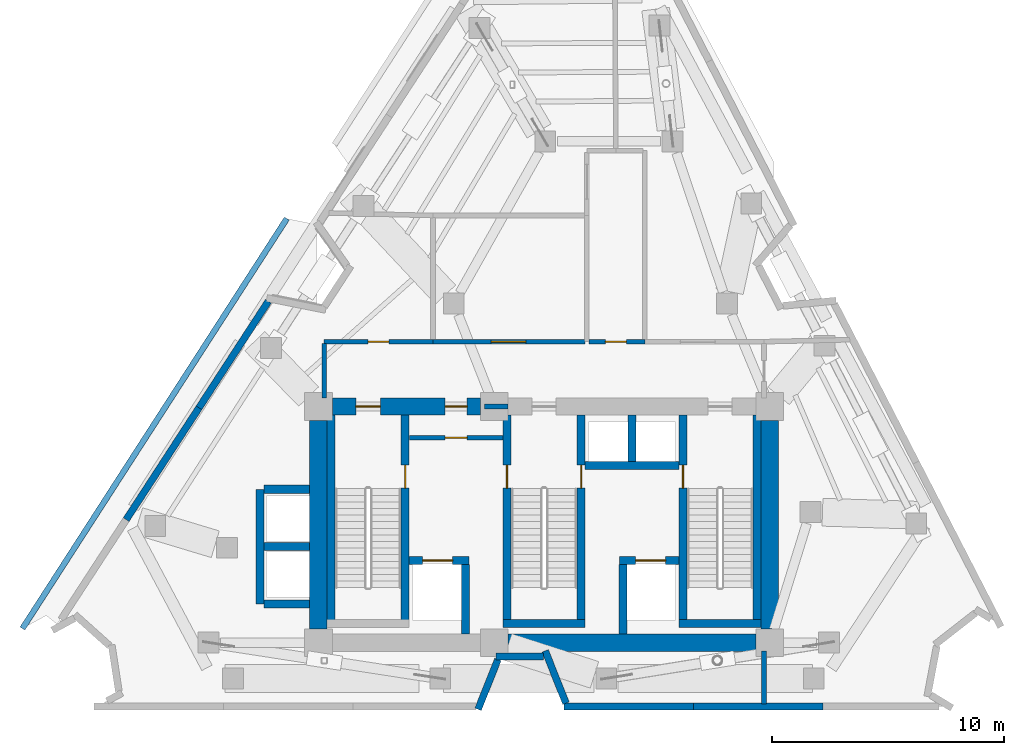
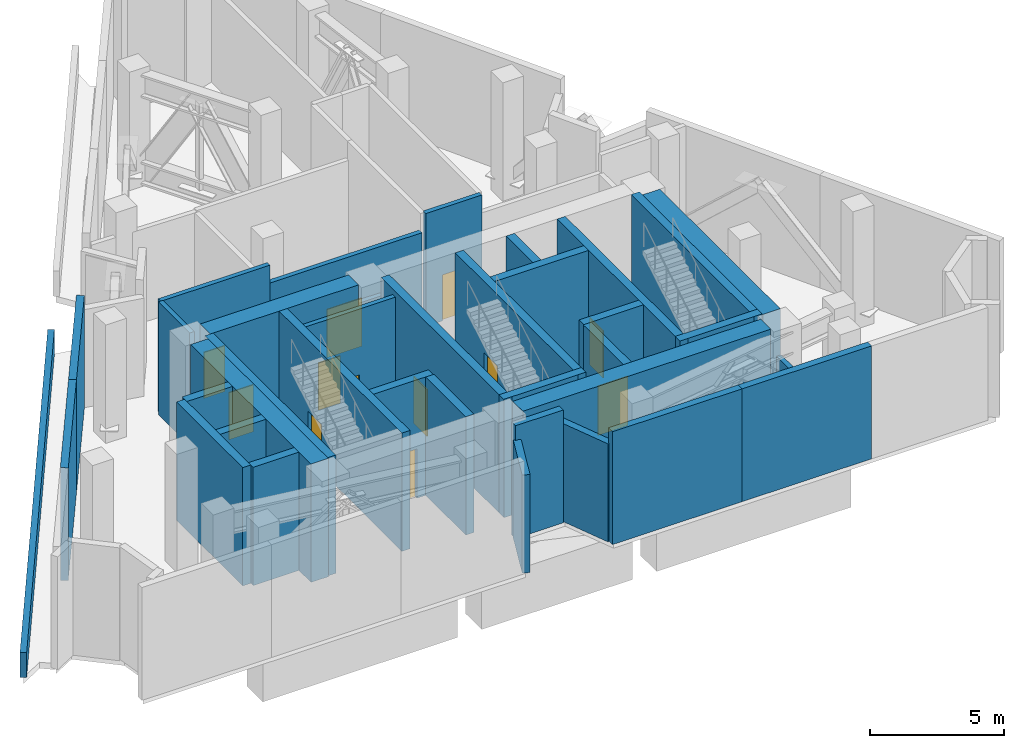
# One storey, part 5 of 8: 37 walls, 12 doors, 12 openings.
"""IFC4 building model written with IfcOpenShell, lengths in metres."""

from ifc_helpers import new_model, si_unit, direction, frame, frame_2d, origin, place, context, subcontext, project, spatial, rectangle, extrude, material, layer, layer_set, type_object, element, fill, save


model = new_model("IFC4")

# Units and contexts
model_context = context("Model", 3, precision=1e-05, world=origin(), true_north=direction((0.0, 1.0)))
body_context = subcontext(model_context, "Body", "Model", "MODEL_VIEW")
ifc_project = project(units=[si_unit("LENGTHUNIT", "METRE"), si_unit("AREAUNIT", "SQUARE_METRE"), si_unit("VOLUMEUNIT", "CUBIC_METRE"), si_unit("PLANEANGLEUNIT", "RADIAN"), si_unit("MASSUNIT", "GRAM", prefix="KILO")], contexts=[model_context])

# Site, building, storey
site_placement = place(None, origin())
site = spatial("IfcSite", under=ifc_project, at=site_placement, CompositionType="ELEMENT")
building_placement = place(site_placement, origin())
building = spatial("IfcBuilding", under=site, at=building_placement, Name="Almagre Mirador Tower", CompositionType="ELEMENT")
storey_placement = place(building_placement, frame((0.0, 0.0, 201.60009765625)))
storey = spatial("IfcBuildingStorey", under=building, at=storey_placement, Name="L52", CompositionType="ELEMENT", Elevation=201.60009765625)

# Walls
ifc_material_1 = material(Name="Precast concrete C50/60", Category="concrete")
ifc_layer_1 = layer(ifc_material_1, 0.300048828125)
ifc_layer_set_1 = layer_set([ifc_layer_1], Name="Precast concrete C50/60")
wall_type_1 = type_object("IfcWallType", Name="WAL-EXT-300", PredefinedType="SOLIDWALL", material=ifc_layer_set_1)
wall_1_placement = place(storey_placement, frame((49.3466796875, 1.800048828125, 0.0), z_axis=(0.0, 0.0, 1.0), x_axis=(-1.0, 0.0, 0.0)))
element("IfcWall", 1, at=wall_1_placement, inside=storey, type_object=wall_type_1, Name="L52 expressed almagre precast frame wall 23", PredefinedType="SOLIDWALL", context=body_context, shape_type="SweptSolid", body=[
    extrude(rectangle(XDim=5.59326171875, YDim=0.300048828125, at=frame_2d((2.796630859375, 0.0))), origin(), (0.0, 0.0, 1.0), 5.14990234375),
])
wall_2_placement = place(storey_placement, frame((43.75341796875, 1.800048828125, 0.0), z_axis=(0.0, 0.0, 1.0), x_axis=(-1.0, 0.0, 0.0)))
element("IfcWall", 2, at=wall_2_placement, inside=storey, type_object=wall_type_1, Name="L52 expressed almagre precast frame wall 24", PredefinedType="SOLIDWALL", context=body_context, shape_type="SweptSolid", body=[
    extrude(rectangle(XDim=5.593505859375, YDim=0.300048828125, at=frame_2d((2.796875, 0.0))), origin(), (0.0, 0.0, 1.0), 5.14990234375),
])
wall_3_placement = place(storey_placement, frame((38.248291015625, 1.93017578125, 0.0), z_axis=(0.0, 0.0, 1.0), x_axis=(-0.369562555971, 0.929205852986, 0.0)))
element("IfcWall", 3, at=wall_3_placement, inside=storey, type_object=wall_type_1, Name="L52 expressed almagre precast frame wall 25", PredefinedType="SOLIDWALL", context=body_context, shape_type="SweptSolid", body=[
    extrude(rectangle(XDim=2.441650390625, YDim=0.300048828125, at=frame_2d((1.220703125, 0.0))), origin(), (0.0, 0.0, 1.0), 4.474853515625),
])
wall_4_placement = place(storey_placement, frame((37.284912109375, 3.949951171875, 0.0), z_axis=(0.0, 0.0, 1.0), x_axis=(-1.0, 0.0, 0.0)))
element("IfcWall", 4, at=wall_4_placement, inside=storey, type_object=wall_type_1, Name="L52 expressed almagre precast frame wall 26", PredefinedType="SOLIDWALL", context=body_context, shape_type="SweptSolid", body=[
    extrude(rectangle(XDim=2.06982421875, YDim=0.300048828125, at=frame_2d((1.034912109375, 0.0))), origin(), (0.0, 0.0, 1.0), 5.14990234375),
])
wall_5_placement = place(storey_placement, frame((35.30517578125, 3.82470703125, 0.0), z_axis=(0.0, 0.0, 1.0), x_axis=(-0.369538433836, -0.929215446448, 0.0)))
element("IfcWall", 5, at=wall_5_placement, inside=storey, type_object=wall_type_1, Name="L52 expressed almagre precast frame wall 27", PredefinedType="SOLIDWALL", context=body_context, shape_type="SweptSolid", body=[
    extrude(rectangle(XDim=2.31884765625, YDim=0.300048828125, at=frame_2d((1.159423828125, 0.0))), origin(), (0.0, 0.0, 1.0), 4.474853515625),
])
wall_6_placement = place(storey_placement, frame((19.250244140625, 9.864990234375, 0.0), z_axis=(0.0, 0.0, 1.0), x_axis=(0.545595688913, 0.838048533343, 0.0)))
element("IfcWall", 6, at=wall_6_placement, inside=storey, type_object=wall_type_1, Name="L52 expressed almagre precast frame wall 36", PredefinedType="SOLIDWALL", context=body_context, shape_type="SweptSolid", body=[
    extrude(rectangle(XDim=5.763427734375, YDim=0.300048828125, at=frame_2d((2.8818359375, 0.0))), origin(), (0.0, 0.0, 1.0), 5.14990234375),
])
wall_7_placement = place(storey_placement, frame((22.394775390625, 14.695068359375, 0.0), z_axis=(0.0, 0.0, 1.0), x_axis=(0.545593263522, 0.838050112344, 0.0)))
element("IfcWall", 7, at=wall_7_placement, inside=storey, type_object=wall_type_1, Name="L52 expressed almagre precast frame wall 37", PredefinedType="SOLIDWALL", context=body_context, shape_type="SweptSolid", body=[
    extrude(rectangle(XDim=5.48876953125, YDim=0.300048828125, at=frame_2d((2.744384765625, 0.0))), origin(), (0.0, 0.0, 1.0), 5.14990234375),
])
ifc_material_2 = material(Name="Precast concrete C50/60", Category="concrete")
ifc_layer_2 = layer(ifc_material_2, 0.25)
ifc_layer_set_2 = layer_set([ifc_layer_2], Name="Precast concrete C50/60")
wall_type_2 = type_object("IfcWallType", Name="WAL-PAR-250", PredefinedType="PARAPET", material=ifc_layer_set_2)
wall_8_placement = place(storey_placement, frame((14.76806640625, 5.160888671875, 0.0), z_axis=(0.0, 0.0, 1.0), x_axis=(0.542024449696, 0.840362716886, 0.0)))
element("IfcWall", 8, at=wall_8_placement, inside=storey, type_object=wall_type_2, Name="L52 terrace precast parapet 2.1", PredefinedType="PARAPET", context=body_context, shape_type="SweptSolid", body=[
    extrude(rectangle(XDim=21.067138671875, YDim=0.25, at=frame_2d((10.53369140625, 0.0))), origin(), (0.0, 0.0, 1.0), 1.14990234375),
])
ifc_material_3 = material(Name="Gypsum acoustic stud partition", Category="other")
ifc_layer_3 = layer(ifc_material_3, 0.199951171875)
ifc_layer_set_3 = layer_set([ifc_layer_3], Name="Gypsum acoustic stud partition")
wall_type_3 = type_object("IfcWallType", Name="WAL-PRT-200-EI60", PredefinedType="PARTITIONING", material=ifc_layer_set_3)
wall_9_placement = place(storey_placement, frame((34.719970703125, 14.75, 0.0), z_axis=(0.0, 0.0, 1.0), x_axis=(1.0, 0.0, 0.0)))
element("IfcWall", 9, at=wall_9_placement, inside=storey, type_object=wall_type_3, Name="L52 core north closure wall", PredefinedType="PARTITIONING", context=body_context, shape_type="SweptSolid", body=[
    extrude(rectangle(XDim=1.030029296875, YDim=0.199951171875, at=frame_2d((0.51513671875, 0.0))), origin(), (0.0, 0.0, 1.0), 4.3349609375),
])

# Wall, opening, door
wall_10_placement = place(storey_placement, frame((31.47998046875, 13.39990234375, 0.0), z_axis=(0.0, 0.0, 1.0), x_axis=(1.0, 0.0, 0.0)))
wall_10 = element("IfcWall", 10, at=wall_10_placement, inside=storey, type_object=wall_type_3, Name="L52 FFL-1 north enclosure wall", PredefinedType="PARTITIONING", context=body_context, shape_type="SweptSolid", body=[
    extrude(rectangle(XDim=4.0400390625, YDim=0.199951171875, at=frame_2d((2.02001953125, 0.0))), origin(), (0.0, 0.0, 1.0), 5.14990234375),
])
opening_1_placement = place(wall_10_placement, frame((1.544921875, 0.0, 0.0)))
opening_1 = element("IfcOpeningElement", 11, at=opening_1_placement, cuts=wall_10, Name="Opening ID-02", PredefinedType="OPENING", context=body_context, shape_type="SweptSolid", body=[
    extrude(rectangle(XDim=0.949951171875, YDim=2.14990234375, at=frame_2d((0.47509765625, 1.074951171875))), frame((0.0, 0.110098, 0.0), z_axis=(0.0, -1.0, 0.0), x_axis=(1.0, 0.0, 0.0)), (0.0, 0.0, 1.0), 0.219951),
])
ifc_material_4 = material(Name="Fire-rated walnut timber", Category="wood")
door_type_1 = type_object("IfcDoorType", Name="DOR-FD60-950X2150", OperationType="NOTDEFINED", PredefinedType="DOOR", material=ifc_material_4)
door_1_placement = place(opening_1_placement, origin())
door_1 = element("IfcDoor", 12, at=door_1_placement, inside=storey, type_object=door_type_1, Name="DR-1624 L52 FFL-1 north smoke door", OperationType="SINGLE_SWING_LEFT", OverallHeight=2.14990234375, OverallWidth=0.949951171875, PredefinedType="DOOR", context=body_context, shape_type="SweptSolid", body=[
    extrude(rectangle(XDim=0.949951171875, YDim=2.14990234375, at=frame_2d((0.47509765625, 1.074951171875))), frame((0.0, 0.02490234375, 0.0), z_axis=(0.0, -1.0, 0.0), x_axis=(1.0, 0.0, 0.0)), (0.0, 0.0, 1.0), 0.050048828125),
])
fill(opening_1, door_1)

wall_11_placement = place(storey_placement, frame((39.235107421875, 17.550048828125, 0.0), z_axis=(0.0, 0.0, 1.0), x_axis=(1.0, 0.0, 0.0)))
wall_11 = element("IfcWall", 13, at=wall_11_placement, inside=storey, type_object=wall_type_3, Name="L52 interior partition 002", PredefinedType="PARTITIONING", context=body_context, shape_type="SweptSolid", body=[
    extrude(rectangle(XDim=2.414794921875, YDim=0.199951171875, at=frame_2d((1.20751953125, 0.0))), origin(), (0.0, 0.0, 1.0), 5.14990234375),
])
opening_2_placement = place(wall_11_placement, frame((0.715087890625, 0.0, 0.0)))
opening_2 = element("IfcOpeningElement", 14, at=opening_2_placement, cuts=wall_11, Name="Opening ID-03", PredefinedType="OPENING", context=body_context, shape_type="SweptSolid", body=[
    extrude(rectangle(XDim=0.89990234375, YDim=2.10009765625, at=frame_2d((0.449951171875, 1.050048828125))), frame((0.0, 0.110098, 0.0), z_axis=(0.0, -1.0, 0.0), x_axis=(1.0, 0.0, 0.0)), (0.0, 0.0, 1.0), 0.219951),
])
ifc_material_5 = material(Name="Fire-rated hollow steel", Category="steel")
door_type_2 = type_object("IfcDoorType", Name="DOR-FD60-900X2100", OperationType="NOTDEFINED", PredefinedType="DOOR", material=ifc_material_5)
door_2_placement = place(opening_2_placement, origin())
door_2 = element("IfcDoor", 15, at=door_2_placement, inside=storey, type_object=door_type_2, Name="DR-1629 L52 interior door L52-PLT-1 to L52-PCOR", OperationType="SINGLE_SWING_RIGHT", OverallHeight=2.10009765625, OverallWidth=0.89990234375, PredefinedType="DOOR", context=body_context, shape_type="SweptSolid", body=[
    extrude(rectangle(XDim=0.89990234375, YDim=2.10009765625, at=frame_2d((0.449951171875, 1.050048828125))), frame((0.0, 0.02490234375, 0.0), z_axis=(0.0, -1.0, 0.0), x_axis=(1.0, 0.0, 0.0)), (0.0, 0.0, 1.0), 0.050048828125),
])
fill(opening_2, door_2)

wall_12_placement = place(storey_placement, frame((32.5, 17.550048828125, 0.0), z_axis=(0.0, 0.0, 1.0), x_axis=(1.0, 0.0, 0.0)))
wall_12 = element("IfcWall", 16, at=wall_12_placement, inside=storey, type_object=wall_type_3, Name="L52 interior partition 007", PredefinedType="PARTITIONING", context=body_context, shape_type="SweptSolid", body=[
    extrude(rectangle(XDim=6.56494140625, YDim=0.199951171875, at=frame_2d((3.282470703125, 0.0))), origin(), (0.0, 0.0, 1.0), 4.3349609375),
])
opening_3_placement = place(wall_12_placement, frame((2.515625, 0.0, 0.0)))
opening_3 = element("IfcOpeningElement", 17, at=opening_3_placement, cuts=wall_12, Name="Opening ID-04", PredefinedType="OPENING", context=body_context, shape_type="SweptSolid", body=[
    extrude(rectangle(XDim=1.5, YDim=2.199951171875, at=frame_2d((0.75, 1.10009765625))), frame((0.0, 0.110098, 0.0), z_axis=(0.0, -1.0, 0.0), x_axis=(1.0, 0.0, 0.0)), (0.0, 0.0, 1.0), 0.219951),
])
ifc_material_6 = material(Name="Fire-rated hollow steel", Category="steel")
door_type_3 = type_object("IfcDoorType", Name="DOR-FD60-1500X2200", OperationType="DOUBLE_DOOR_SINGLE_SWING", PredefinedType="DOOR", material=ifc_material_6)
door_3_placement = place(opening_3_placement, origin())
door_3 = element("IfcDoor", 18, at=door_3_placement, inside=storey, type_object=door_type_3, Name="DR-1630 L52 interior door L52-PLT-2 to L52-PCOR", OperationType="DOUBLE_DOOR_SINGLE_SWING", OverallHeight=2.199951171875, OverallWidth=1.5, PredefinedType="DOOR", context=body_context, shape_type="SweptSolid", body=[
    extrude(rectangle(XDim=1.5, YDim=2.199951171875, at=frame_2d((0.75, 1.10009765625))), frame((0.0, 0.02490234375, 0.0), z_axis=(0.0, -1.0, 0.0), x_axis=(1.0, 0.0, 0.0)), (0.0, 0.0, 1.0), 0.050048828125),
])
fill(opening_3, door_3)

wall_13_placement = place(storey_placement, frame((32.5, 17.550048828125, 0.0), z_axis=(0.0, 0.0, 1.0), x_axis=(-1.0, 0.0, 0.0)))
wall_13 = element("IfcWall", 19, at=wall_13_placement, inside=storey, type_object=wall_type_3, Name="L52 interior partition 012", PredefinedType="PARTITIONING", context=body_context, shape_type="SweptSolid", body=[
    extrude(rectangle(XDim=4.699951171875, YDim=0.199951171875, at=frame_2d((2.35009765625, 0.0))), origin(), (0.0, 0.0, 1.0), 5.14990234375),
])
opening_4_placement = place(wall_13_placement, frame((1.89990234375, 0.0, 0.0)))
opening_4 = element("IfcOpeningElement", 20, at=opening_4_placement, cuts=wall_13, Name="Opening ID-03", PredefinedType="OPENING", context=body_context, shape_type="SweptSolid", body=[
    extrude(rectangle(XDim=0.89990234375, YDim=2.10009765625, at=frame_2d((0.449951171875, 1.050048828125))), frame((0.0, 0.110098, 0.0), z_axis=(0.0, -1.0, 0.0), x_axis=(1.0, 0.0, 0.0)), (0.0, 0.0, 1.0), 0.219951),
])
door_4_placement = place(opening_4_placement, origin())
door_4 = element("IfcDoor", 21, at=door_4_placement, inside=storey, type_object=door_type_2, Name="DR-1633 L52 interior door L52-PCOR to L52-REF-W", OperationType="SINGLE_SWING_RIGHT", OverallHeight=2.10009765625, OverallWidth=0.89990234375, PredefinedType="DOOR", context=body_context, shape_type="SweptSolid", body=[
    extrude(rectangle(XDim=0.89990234375, YDim=2.10009765625, at=frame_2d((0.449951171875, 1.050048828125))), frame((0.0, 0.02490234375, 0.0), z_axis=(0.0, -1.0, 0.0), x_axis=(1.0, 0.0, 0.0)), (0.0, 0.0, 1.0), 0.050048828125),
])
fill(opening_4, door_4)

# Walls
wall_14_placement = place(storey_placement, frame((27.800048828125, 17.465087890625, 0.0), z_axis=(0.0, 0.0, 1.0), x_axis=(0.0, -1.0, 0.0)))
element("IfcWall", 22, at=wall_14_placement, inside=storey, type_object=wall_type_3, Name="L52 interior partition 013", PredefinedType="PARTITIONING", context=body_context, shape_type="SweptSolid", body=[
    extrude(rectangle(XDim=2.340087890625, YDim=0.199951171875, at=frame_2d((1.169921875, 0.0))), origin(), (0.0, 0.0, 1.0), 5.14990234375),
])
wall_15_placement = place(storey_placement, frame((46.800048828125, 4.179931640625, 0.0), z_axis=(0.0, 0.0, 1.0), x_axis=(0.0, -1.0, 0.0)))
element("IfcWall", 23, at=wall_15_placement, inside=storey, type_object=wall_type_3, Name="L52 interior partition 017", PredefinedType="PARTITIONING", context=body_context, shape_type="SweptSolid", body=[
    extrude(rectangle(XDim=2.280029296875, YDim=0.199951171875, at=frame_2d((1.14013671875, 0.0))), origin(), (0.0, 0.0, 1.0), 4.075927734375),
])
ifc_material_7 = material(Name="Concrete C60/75", Category="concrete")
ifc_layer_4 = layer(ifc_material_7, 0.35009765625)
ifc_layer_set_4 = layer_set([ifc_layer_4], Name="Concrete C60/75")
wall_type_4 = type_object("IfcWallType", Name="WAL-SHF-350", PredefinedType="SOLIDWALL", material=ifc_layer_set_4)
wall_16_placement = place(storey_placement, frame((28.10009765625, 5.199951171875, 0.0), z_axis=(0.0, 0.0, 1.0), x_axis=(0.0, 1.0, 0.0)))
element("IfcWall", 24, at=wall_16_placement, inside=storey, type_object=wall_type_4, Name="L52 shaft wall ST1-W", PredefinedType="SOLIDWALL", context=body_context, shape_type="SweptSolid", body=[
    extrude(rectangle(XDim=9.175048828125, YDim=0.35009765625, at=frame_2d((4.58740234375, 0.0))), origin(), (0.0, 0.0, 1.0), 5.39990234375),
])

# Wall, opening, door
wall_17_placement = place(storey_placement, frame((31.300048828125, 5.199951171875, 0.0), z_axis=(0.0, 0.0, 1.0), x_axis=(0.0, 1.0, 0.0)))
wall_17 = element("IfcWall", 25, at=wall_17_placement, inside=storey, type_object=wall_type_4, Name="L52 shaft wall ST1-E", PredefinedType="SOLIDWALL", context=body_context, shape_type="SweptSolid", body=[
    extrude(rectangle(XDim=9.175048828125, YDim=0.35009765625, at=frame_2d((4.58740234375, 0.0))), origin(), (0.0, 0.0, 1.0), 5.39990234375),
])
opening_5_placement = place(wall_17_placement, frame((6.02001953125, 0.0, 0.0)))
opening_5 = element("IfcOpeningElement", 26, at=opening_5_placement, cuts=wall_17, Name="Opening FD-01", PredefinedType="OPENING", context=body_context, shape_type="SweptSolid", body=[
    extrude(rectangle(XDim=1.0, YDim=2.14990234375, at=frame_2d((0.5, 1.074951171875))), frame((0.0, 0.185049, 0.0), z_axis=(0.0, -1.0, 0.0), x_axis=(1.0, 0.0, 0.0)), (0.0, 0.0, 1.0), 0.370098),
])
ifc_material_8 = material(Name="Fire-rated hollow steel", Category="steel")
door_type_4 = type_object("IfcDoorType", Name="DOR-FFL-1000X2150", OperationType="NOTDEFINED", PredefinedType="DOOR", material=ifc_material_8)
door_5_placement = place(opening_5_placement, origin())
door_5 = element("IfcDoor", 27, at=door_5_placement, inside=storey, type_object=door_type_4, Name="DR-1625 L52 FFL1-ST1 smokeproof door", OperationType="SINGLE_SWING_RIGHT", OverallHeight=2.14990234375, OverallWidth=1.0, PredefinedType="DOOR", context=body_context, shape_type="SweptSolid", body=[
    extrude(rectangle(XDim=1.0, YDim=2.14990234375, at=frame_2d((0.5, 1.074951171875))), frame((0.0, 0.02490234375, 0.0), z_axis=(0.0, -1.0, 0.0), x_axis=(1.0, 0.0, 0.0)), (0.0, 0.0, 1.0), 0.050048828125),
])
fill(opening_5, door_5)

wall_18_placement = place(storey_placement, frame((35.699951171875, 5.199951171875, 0.0), z_axis=(0.0, 0.0, 1.0), x_axis=(0.0, 1.0, 0.0)))
wall_18 = element("IfcWall", 28, at=wall_18_placement, inside=storey, type_object=wall_type_4, Name="L52 shaft wall ST2-W", PredefinedType="SOLIDWALL", context=body_context, shape_type="SweptSolid", body=[
    extrude(rectangle(XDim=9.175048828125, YDim=0.35009765625, at=frame_2d((4.58740234375, 0.0))), origin(), (0.0, 0.0, 1.0), 5.39990234375),
])
opening_6_placement = place(wall_18_placement, frame((6.02001953125, 0.0, 0.0)))
opening_6 = element("IfcOpeningElement", 29, at=opening_6_placement, cuts=wall_18, Name="Opening FD-01", PredefinedType="OPENING", context=body_context, shape_type="SweptSolid", body=[
    extrude(rectangle(XDim=1.0, YDim=2.14990234375, at=frame_2d((0.5, 1.074951171875))), frame((0.0, 0.185049, 0.0), z_axis=(0.0, -1.0, 0.0), x_axis=(1.0, 0.0, 0.0)), (0.0, 0.0, 1.0), 0.370098),
])
door_6_placement = place(opening_6_placement, origin())
door_6 = element("IfcDoor", 30, at=door_6_placement, inside=storey, type_object=door_type_4, Name="DR-1626 L52 FFL1-ST2 smokeproof door", OperationType="SINGLE_SWING_LEFT", OverallHeight=2.14990234375, OverallWidth=1.0, PredefinedType="DOOR", context=body_context, shape_type="SweptSolid", body=[
    extrude(rectangle(XDim=1.0, YDim=2.14990234375, at=frame_2d((0.5, 1.074951171875))), frame((0.0, 0.02490234375, 0.0), z_axis=(0.0, -1.0, 0.0), x_axis=(1.0, 0.0, 0.0)), (0.0, 0.0, 1.0), 0.050048828125),
])
fill(opening_6, door_6)

wall_19_placement = place(storey_placement, frame((38.89990234375, 5.199951171875, 0.0), z_axis=(0.0, 0.0, 1.0), x_axis=(0.0, 1.0, 0.0)))
wall_19 = element("IfcWall", 31, at=wall_19_placement, inside=storey, type_object=wall_type_4, Name="L52 shaft wall ST2-E", PredefinedType="SOLIDWALL", context=body_context, shape_type="SweptSolid", body=[
    extrude(rectangle(XDim=9.175048828125, YDim=0.35009765625, at=frame_2d((4.58740234375, 0.0))), origin(), (0.0, 0.0, 1.0), 5.39990234375),
])
opening_7_placement = place(wall_19_placement, frame((6.02001953125, 0.0, 0.0)))
opening_7 = element("IfcOpeningElement", 32, at=opening_7_placement, cuts=wall_19, Name="Opening FD-01", PredefinedType="OPENING", context=body_context, shape_type="SweptSolid", body=[
    extrude(rectangle(XDim=1.0, YDim=2.14990234375, at=frame_2d((0.5, 1.074951171875))), frame((0.0, 0.185049, 0.0), z_axis=(0.0, -1.0, 0.0), x_axis=(1.0, 0.0, 0.0)), (0.0, 0.0, 1.0), 0.370098),
])
door_7_placement = place(opening_7_placement, origin())
door_7 = element("IfcDoor", 33, at=door_7_placement, inside=storey, type_object=door_type_4, Name="DR-1627 L52 FFL2-ST2 smokeproof door", OperationType="SINGLE_SWING_RIGHT", OverallHeight=2.14990234375, OverallWidth=1.0, PredefinedType="DOOR", context=body_context, shape_type="SweptSolid", body=[
    extrude(rectangle(XDim=1.0, YDim=2.14990234375, at=frame_2d((0.5, 1.074951171875))), frame((0.0, 0.02490234375, 0.0), z_axis=(0.0, -1.0, 0.0), x_axis=(1.0, 0.0, 0.0)), (0.0, 0.0, 1.0), 0.050048828125),
])
fill(opening_7, door_7)

# Wall
wall_20_placement = place(storey_placement, frame((35.52490234375, 5.375, 0.0), z_axis=(0.0, 0.0, 1.0), x_axis=(1.0, 0.0, 0.0)))
element("IfcWall", 34, at=wall_20_placement, inside=storey, type_object=wall_type_4, Name="L52 shaft wall ST2-S", PredefinedType="SOLIDWALL", context=body_context, shape_type="SweptSolid", body=[
    extrude(rectangle(XDim=3.550048828125, YDim=0.35009765625, at=frame_2d((1.77490234375, 0.0))), origin(), (0.0, 0.0, 1.0), 5.39990234375),
])

# Wall, opening, door
wall_21_placement = place(storey_placement, frame((43.300048828125, 5.199951171875, 0.0), z_axis=(0.0, 0.0, 1.0), x_axis=(0.0, 1.0, 0.0)))
wall_21 = element("IfcWall", 35, at=wall_21_placement, inside=storey, type_object=wall_type_4, Name="L52 shaft wall ST3-W", PredefinedType="SOLIDWALL", context=body_context, shape_type="SweptSolid", body=[
    extrude(rectangle(XDim=9.175048828125, YDim=0.35009765625, at=frame_2d((4.58740234375, 0.0))), origin(), (0.0, 0.0, 1.0), 5.39990234375),
])
opening_8_placement = place(wall_21_placement, frame((6.02001953125, 0.0, 0.0)))
opening_8 = element("IfcOpeningElement", 36, at=opening_8_placement, cuts=wall_21, Name="Opening FD-01", PredefinedType="OPENING", context=body_context, shape_type="SweptSolid", body=[
    extrude(rectangle(XDim=1.0, YDim=2.14990234375, at=frame_2d((0.5, 1.074951171875))), frame((0.0, 0.185049, 0.0), z_axis=(0.0, -1.0, 0.0), x_axis=(1.0, 0.0, 0.0)), (0.0, 0.0, 1.0), 0.370098),
])
door_8_placement = place(opening_8_placement, origin())
door_8 = element("IfcDoor", 37, at=door_8_placement, inside=storey, type_object=door_type_4, Name="DR-1628 L52 FFL2-ST3 smokeproof door", OperationType="SINGLE_SWING_LEFT", OverallHeight=2.14990234375, OverallWidth=1.0, PredefinedType="DOOR", context=body_context, shape_type="SweptSolid", body=[
    extrude(rectangle(XDim=1.0, YDim=2.14990234375, at=frame_2d((0.5, 1.074951171875))), frame((0.0, 0.02490234375, 0.0), z_axis=(0.0, -1.0, 0.0), x_axis=(1.0, 0.0, 0.0)), (0.0, 0.0, 1.0), 0.050048828125),
])
fill(opening_8, door_8)

# Walls
wall_22_placement = place(storey_placement, frame((46.5, 5.199951171875, 0.0), z_axis=(0.0, 0.0, 1.0), x_axis=(0.0, 1.0, 0.0)))
element("IfcWall", 38, at=wall_22_placement, inside=storey, type_object=wall_type_4, Name="L52 shaft wall ST3-E", PredefinedType="SOLIDWALL", context=body_context, shape_type="SweptSolid", body=[
    extrude(rectangle(XDim=9.175048828125, YDim=0.35009765625, at=frame_2d((4.58740234375, 0.0))), origin(), (0.0, 0.0, 1.0), 5.39990234375),
])
wall_23_placement = place(storey_placement, frame((43.125, 5.375, 0.0), z_axis=(0.0, 0.0, 1.0), x_axis=(1.0, 0.0, 0.0)))
element("IfcWall", 39, at=wall_23_placement, inside=storey, type_object=wall_type_4, Name="L52 shaft wall ST3-S", PredefinedType="SOLIDWALL", context=body_context, shape_type="SweptSolid", body=[
    extrude(rectangle(XDim=3.550048828125, YDim=0.35009765625, at=frame_2d((1.77490234375, 0.0))), origin(), (0.0, 0.0, 1.0), 5.39990234375),
])

# Wall, opening, door
wall_24_placement = place(storey_placement, frame((31.47509765625, 8.10009765625, 0.0), z_axis=(0.0, 0.0, 1.0), x_axis=(1.0, 0.0, 0.0)))
wall_24 = element("IfcWall", 40, at=wall_24_placement, inside=storey, type_object=wall_type_4, Name="L52 shaft wall FSAE1-N", PredefinedType="SOLIDWALL", context=body_context, shape_type="SweptSolid", body=[
    extrude(rectangle(XDim=2.574951171875, YDim=0.35009765625, at=frame_2d((1.28759765625, 0.0))), origin(), (0.0, 0.0, 1.0), 5.39990234375),
])
opening_9_placement = place(wall_24_placement, frame((0.574951171875, 0.0, 0.0)))
opening_9 = element("IfcOpeningElement", 41, at=opening_9_placement, cuts=wall_24, Name="Opening LD-03", PredefinedType="OPENING", context=body_context, shape_type="SweptSolid", body=[
    extrude(rectangle(XDim=1.300048828125, YDim=2.25, at=frame_2d((0.64990234375, 1.125))), frame((0.0, 0.185049, 0.0), z_axis=(0.0, -1.0, 0.0), x_axis=(1.0, 0.0, 0.0)), (0.0, 0.0, 1.0), 0.370098),
])
ifc_material_9 = material(Name="Hollow stainless steel", Category="steel")
door_type_5 = type_object("IfcDoorType", Name="DOR-LD-1300X2250", OperationType="DOUBLE_DOOR_SLIDING", PredefinedType="DOOR", material=ifc_material_9)
door_9_placement = place(opening_9_placement, origin())
door_9 = element("IfcDoor", 42, at=door_9_placement, inside=storey, type_object=door_type_5, Name="DR-1635 L52 FSAE-1 lift landing door", OperationType="DOUBLE_DOOR_SLIDING", OverallHeight=2.25, OverallWidth=1.300048828125, PredefinedType="DOOR", context=body_context, shape_type="SweptSolid", body=[
    extrude(rectangle(XDim=1.300048828125, YDim=2.25, at=frame_2d((0.64990234375, 1.125))), frame((0.0, 0.02490234375, 0.0), z_axis=(0.0, -1.0, 0.0), x_axis=(1.0, 0.0, 0.0)), (0.0, 0.0, 1.0), 0.050048828125),
])
fill(opening_9, door_9)

wall_25_placement = place(storey_placement, frame((40.550048828125, 8.10009765625, 0.0), z_axis=(0.0, 0.0, 1.0), x_axis=(1.0, 0.0, 0.0)))
wall_25 = element("IfcWall", 43, at=wall_25_placement, inside=storey, type_object=wall_type_4, Name="L52 shaft wall FSAE2-N", PredefinedType="SOLIDWALL", context=body_context, shape_type="SweptSolid", body=[
    extrude(rectangle(XDim=2.574951171875, YDim=0.35009765625, at=frame_2d((1.28759765625, 0.0))), origin(), (0.0, 0.0, 1.0), 5.39990234375),
])
opening_10_placement = place(wall_25_placement, frame((0.699951171875, 0.0, 0.0)))
opening_10 = element("IfcOpeningElement", 44, at=opening_10_placement, cuts=wall_25, Name="Opening LD-03", PredefinedType="OPENING", context=body_context, shape_type="SweptSolid", body=[
    extrude(rectangle(XDim=1.300048828125, YDim=2.25, at=frame_2d((0.64990234375, 1.125))), frame((0.0, 0.185049, 0.0), z_axis=(0.0, -1.0, 0.0), x_axis=(1.0, 0.0, 0.0)), (0.0, 0.0, 1.0), 0.370098),
])
door_10_placement = place(opening_10_placement, origin())
door_10 = element("IfcDoor", 45, at=door_10_placement, inside=storey, type_object=door_type_5, Name="DR-1636 L52 FSAE-2 lift landing door", OperationType="DOUBLE_DOOR_SLIDING", OverallHeight=2.25, OverallWidth=1.300048828125, PredefinedType="DOOR", context=body_context, shape_type="SweptSolid", body=[
    extrude(rectangle(XDim=1.300048828125, YDim=2.25, at=frame_2d((0.64990234375, 1.125))), frame((0.0, 0.02490234375, 0.0), z_axis=(0.0, -1.0, 0.0), x_axis=(1.0, 0.0, 0.0)), (0.0, 0.0, 1.0), 0.050048828125),
])
fill(opening_10, door_10)

# Walls
for number, where, z_axis, x_axis, name in (
    (46, (33.89990234375, 4.925048828125, 0.0), (0.0, 0.0, 1.0), (0.0, 1.0, 0.0), "L52 shaft wall FSAE1-E"),
    (47, (40.699951171875, 4.925048828125, 0.0), (0.0, 0.0, 1.0), (0.0, 1.0, 0.0), "L52 shaft wall FSAE2-W"),
):
    element("IfcWall", number, at=place(storey_placement, frame(where, z_axis=z_axis, x_axis=x_axis)), inside=storey, type_object=wall_type_4, Name=name, PredefinedType="SOLIDWALL", context=body_context, shape_type="SweptSolid", body=[
        extrude(rectangle(XDim=3.0, YDim=0.35009765625, at=frame_2d((1.5, 0.0))), origin(), (0.0, 0.0, 1.0), 5.39990234375),
    ])
wall_26_placement = place(storey_placement, frame((39.074951171875, 12.199951171875, 0.0), z_axis=(0.0, 0.0, 1.0), x_axis=(1.0, 0.0, 0.0)))
element("IfcWall", 48, at=wall_26_placement, inside=storey, type_object=wall_type_4, Name="L52 shaft wall PLH-S", PredefinedType="SOLIDWALL", context=body_context, shape_type="SweptSolid", body=[
    extrude(rectangle(XDim=4.050048828125, YDim=0.35009765625, at=frame_2d((2.02490234375, 0.0))), origin(), (0.0, 0.0, 1.0), 5.39990234375),
])
wall_27_placement = place(storey_placement, frame((41.10009765625, 12.375, 0.0), z_axis=(0.0, 0.0, 1.0), x_axis=(0.0, 1.0, 0.0)))
element("IfcWall", 49, at=wall_27_placement, inside=storey, type_object=wall_type_4, Name="L52 shaft wall PLH-M", PredefinedType="SOLIDWALL", context=body_context, shape_type="SweptSolid", body=[
    extrude(rectangle(XDim=2.0, YDim=0.35009765625, at=frame_2d((1.0, 0.0))), origin(), (0.0, 0.0, 1.0), 5.39990234375),
])
wall_28_placement = place(storey_placement, frame((25.02490234375, 6.22509765625, 0.0), z_axis=(0.0, 0.0, 1.0), x_axis=(0.0, 1.0, 0.0)))
element("IfcWall", 50, at=wall_28_placement, inside=storey, type_object=wall_type_4, Name="L52 shaft wall OL-W", PredefinedType="SOLIDWALL", context=body_context, shape_type="SweptSolid", body=[
    extrude(rectangle(XDim=4.949951171875, YDim=0.35009765625, at=frame_2d((2.47509765625, 0.0))), origin(), (0.0, 0.0, 1.0), 5.39990234375),
])
for number, where, z_axis, x_axis, name in (
    (51, (25.199951171875, 6.22509765625, 0.0), (0.0, 0.0, 1.0), (1.0, 0.0, 0.0), "L52 shaft wall OL-S"),
    (52, (25.199951171875, 8.699951171875, 0.0), (0.0, 0.0, 1.0), (1.0, 0.0, 0.0), "L52 shaft wall OL-M"),
    (53, (25.199951171875, 11.175048828125, 0.0), (0.0, 0.0, 1.0), (1.0, 0.0, 0.0), "L52 shaft wall OL-N"),
):
    element("IfcWall", number, at=place(storey_placement, frame(where, z_axis=z_axis, x_axis=x_axis)), inside=storey, type_object=wall_type_4, Name=name, PredefinedType="SOLIDWALL", context=body_context, shape_type="SweptSolid", body=[
        extrude(rectangle(XDim=1.97509765625, YDim=0.35009765625, at=frame_2d((0.987548828125, 0.0))), origin(), (0.0, 0.0, 1.0), 5.39990234375),
    ])
ifc_material_10 = material(Name="Concrete C60/75", Category="concrete")
ifc_layer_5 = layer(ifc_material_10, 0.75)
ifc_layer_set_5 = layer_set([ifc_layer_5], Name="Concrete C60/75")
wall_type_5 = type_object("IfcWallType", Name="WAL-SHR-750", PredefinedType="SHEAR", material=ifc_layer_set_5)
wall_29_placement = place(storey_placement, frame((35.75, 4.550048828125, 0.0), z_axis=(0.0, 0.0, 1.0), x_axis=(1.0, 0.0, 0.0)))
element("IfcWall", 54, at=wall_29_placement, inside=storey, type_object=wall_type_5, Name="L52 core shear wall S2", PredefinedType="SHEAR", context=body_context, shape_type="SweptSolid", body=[
    extrude(rectangle(XDim=10.699951171875, YDim=0.75, at=frame_2d((5.35009765625, 0.0))), origin(), (0.0, 0.0, 1.0), 5.39990234375),
])

# Wall, openings, doors
wall_30_placement = place(storey_placement, frame((28.14990234375, 14.75, 0.0), z_axis=(0.0, 0.0, 1.0), x_axis=(1.0, 0.0, 0.0)))
wall_30 = element("IfcWall", 55, at=wall_30_placement, inside=storey, type_object=wall_type_5, Name="L52 core shear wall N1", PredefinedType="SHEAR", context=body_context, shape_type="SweptSolid", body=[
    extrude(rectangle(XDim=6.400146484375, YDim=0.75, at=frame_2d((3.2001953125, 0.0))), origin(), (0.0, 0.0, 1.0), 5.39990234375),
])
opening_11_placement = place(wall_30_placement, frame((1.02490234375, 0.0, 0.0)))
opening_11 = element("IfcOpeningElement", 56, at=opening_11_placement, cuts=wall_30, Name="Opening SD-01", PredefinedType="OPENING", context=body_context, shape_type="SweptSolid", body=[
    extrude(rectangle(XDim=1.050048828125, YDim=2.14990234375, at=frame_2d((0.52490234375, 1.074951171875))), frame((0.0, 0.385, 0.0), z_axis=(0.0, -1.0, 0.0), x_axis=(1.0, 0.0, 0.0)), (0.0, 0.0, 1.0), 0.77),
])
opening_12_placement = place(wall_30_placement, frame((4.875, 0.0, 0.0)))
opening_12 = element("IfcOpeningElement", 57, at=opening_12_placement, cuts=wall_30, Name="Opening FD-02", PredefinedType="OPENING", context=body_context, shape_type="SweptSolid", body=[
    extrude(rectangle(XDim=0.949951171875, YDim=2.14990234375, at=frame_2d((0.47509765625, 1.074951171875))), frame((0.0, 0.385, 0.0), z_axis=(0.0, -1.0, 0.0), x_axis=(1.0, 0.0, 0.0)), (0.0, 0.0, 1.0), 0.77),
])
ifc_material_11 = material(Name="Fire-rated hollow steel", Category="steel")
door_type_6 = type_object("IfcDoorType", Name="DOR-FD90-950X2150", OperationType="NOTDEFINED", PredefinedType="DOOR", material=ifc_material_11)
door_11_placement = place(opening_12_placement, origin())
door_11 = element("IfcDoor", 58, at=door_11_placement, inside=storey, type_object=door_type_6, Name="DR-1623 L52 core equipment room north door", OperationType="SINGLE_SWING_LEFT", OverallHeight=2.14990234375, OverallWidth=0.949951171875, PredefinedType="DOOR", context=body_context, shape_type="SweptSolid", body=[
    extrude(rectangle(XDim=0.949951171875, YDim=2.14990234375, at=frame_2d((0.47509765625, 1.074951171875))), frame((0.0, 0.02490234375, 0.0), z_axis=(0.0, -1.0, 0.0), x_axis=(1.0, 0.0, 0.0)), (0.0, 0.0, 1.0), 0.050048828125),
])
fill(opening_12, door_11)
ifc_material_12 = material(Name="Fire-rated hollow steel", Category="steel")
door_type_7 = type_object("IfcDoorType", Name="DOR-ST-1050X2150", OperationType="NOTDEFINED", PredefinedType="DOOR", material=ifc_material_12)
door_12_placement = place(opening_11_placement, origin())
door_12 = element("IfcDoor", 59, at=door_12_placement, inside=storey, type_object=door_type_7, Name="DR-1637 L52 protected exit stair ST-1 door", OperationType="SINGLE_SWING_RIGHT", OverallHeight=2.14990234375, OverallWidth=1.050048828125, PredefinedType="DOOR", context=body_context, shape_type="SweptSolid", body=[
    extrude(rectangle(XDim=1.050048828125, YDim=2.14990234375, at=frame_2d((0.52490234375, 1.074951171875))), frame((0.0, 0.02490234375, 0.0), z_axis=(0.0, -1.0, 0.0), x_axis=(1.0, 0.0, 0.0)), (0.0, 0.0, 1.0), 0.050048828125),
])
fill(opening_11, door_12)

# Walls
for number, where, z_axis, x_axis, name in (
    (60, (27.550048828125, 5.14990234375, 0.0), (0.0, 0.0, 1.0), (0.0, 1.0, 0.0), "L52 core shear wall W1"),
    (61, (47.050048828125, 5.14990234375, 0.0), (0.0, 0.0, 1.0), (0.0, 1.0, 0.0), "L52 core shear wall E1"),
):
    element("IfcWall", number, at=place(storey_placement, frame(where, z_axis=z_axis, x_axis=x_axis)), inside=storey, type_object=wall_type_5, Name=name, PredefinedType="SHEAR", context=body_context, shape_type="SweptSolid", body=[
        extrude(rectangle(XDim=9.0, YDim=0.75, at=frame_2d((4.5, 0.0))), origin(), (0.0, 0.0, 1.0), 5.39990234375),
    ])

save(model, "model.ifc")
